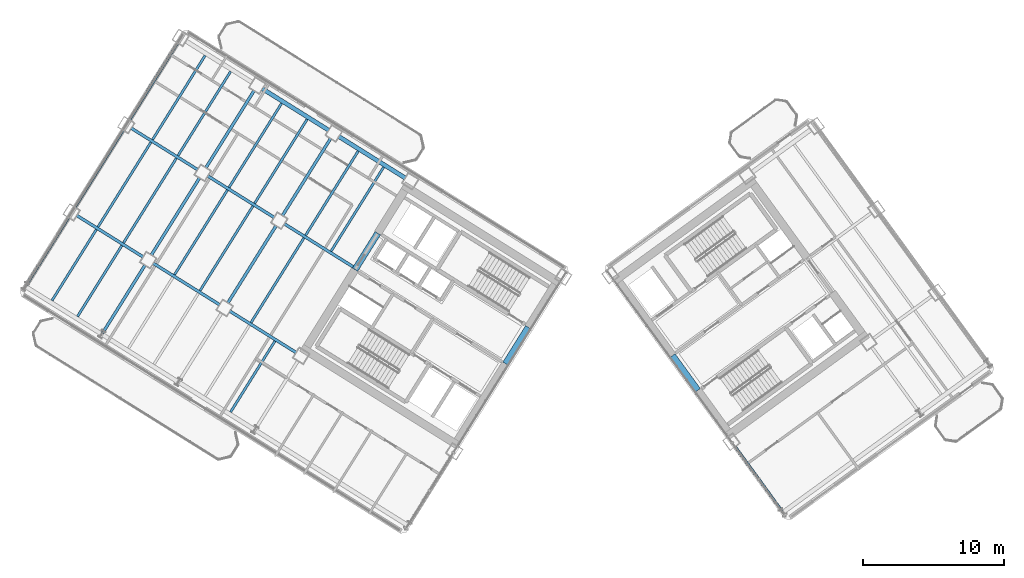
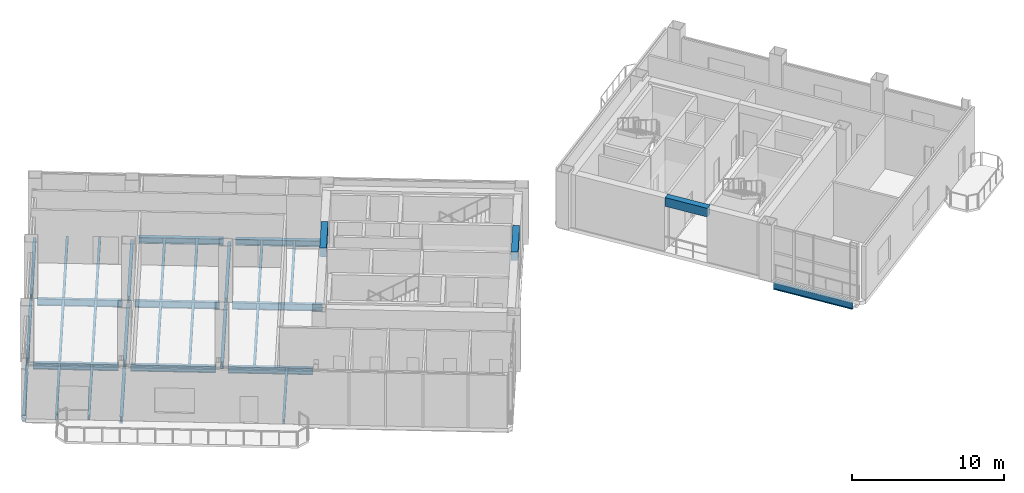
# One storey, part 7 of 18: 34 beams.
"""IFC4 building model written with IfcOpenShell, lengths in metres."""

from ifc_helpers import new_model, si_unit, direction, frame, origin, origin_2d, place, context, subcontext, project, spatial, rectangle, i_section, extrude, source, transform, mapped, material, material_profile, profile_set, type_object, element, save


model = new_model("IFC4")

# Units and contexts
model_context = context("Model", 3, precision=1e-05, world=origin(), true_north=direction((0.0, 1.0)))
body_context = subcontext(model_context, "Body", "Model", "MODEL_VIEW")
ifc_project = project(units=[si_unit("LENGTHUNIT", "METRE"), si_unit("AREAUNIT", "SQUARE_METRE"), si_unit("VOLUMEUNIT", "CUBIC_METRE"), si_unit("PLANEANGLEUNIT", "RADIAN"), si_unit("MASSUNIT", "GRAM", prefix="KILO")], contexts=[model_context])

# Site, building, storey
site_placement = place(None, origin())
site = spatial("IfcSite", under=ifc_project, at=site_placement, CompositionType="ELEMENT")
building_placement = place(site_placement, origin())
building = spatial("IfcBuilding", under=site, at=building_placement, Name="Tlacorven Tower", CompositionType="ELEMENT")
storey_placement = place(building_placement, frame((0.0, 0.0, 136.199951171875)))
storey = spatial("IfcBuildingStorey", under=building, at=storey_placement, Name="L34", CompositionType="ELEMENT", Elevation=136.199951171875)

# Beams
ifc_material_1 = material(Name="Concrete C60/75", Category="concrete")
ifc_material_profile_1 = material_profile(ifc_material_1, rectangle(XDim=0.449951171875, YDim=0.699951171875, at=origin_2d()), Name="RC 450X700")
ifc_profile_set_1 = profile_set([ifc_material_profile_1], Name="Concrete C60/75")
beam_type_1 = type_object("IfcBeamType", Name="BM-LNT-700", PredefinedType="LINTEL", material=ifc_profile_set_1)
shared_shape_1 = source(origin(), body_context, "Body", "SweptSolid", [
    extrude(rectangle(XDim=0.449951171875, YDim=0.699951171875, at=origin_2d()), origin(), (0.0, 0.0, 1.0), 3.050048828125),
])
for number, where, z_axis, x_axis, name in (
    (1, (38.2998046875, 20.890625, 3.900146484375), (-0.529984549635, -0.848007297815, 0.0), (0.848007297815, -0.529984549635, 0.0), "L34 W core coupling lintel beam E1"),
    (2, (50.318359375, 16.416015625, 3.900146484375), (-0.587776590479, 0.80902328748, 0.0), (-0.80902328748, -0.587776590479, 0.0), "L34 E core coupling lintel beam E1"),
):
    element("IfcBeam", number, at=place(storey_placement, frame(where, z_axis=z_axis, x_axis=x_axis)), inside=storey, type_object=beam_type_1, Name=name, PredefinedType="LINTEL", context=body_context, shape_type="MappedRepresentation", body=[
        mapped(shared_shape_1, transform((0.0, 0.0, 0.0), scale=1.0)),
    ])
shared_shape_2 = source(origin(), body_context, "Body", "SweptSolid", [
    extrude(rectangle(XDim=0.449951171875, YDim=0.699951171875, at=origin_2d()), origin(), (0.0, 0.0, 1.0), 3.0498046875),
])
beam_1_placement = place(storey_placement, frame((27.622802734375, 27.562255859375, 3.900146484375), z_axis=(-0.529926983584, -0.848043272522, 0.0), x_axis=(0.848043272522, -0.529926983584, 0.0)))
element("IfcBeam", 3, at=beam_1_placement, inside=storey, type_object=beam_type_1, Name="L34 W core coupling lintel beam E2", PredefinedType="LINTEL", context=body_context, shape_type="MappedRepresentation", body=[
    mapped(shared_shape_2, transform((0.0, 0.0, 0.0), scale=1.0)),
])
ifc_material_2 = material(Name="Steel S355J2", Category="steel")
ifc_material_profile_2 = material_profile(ifc_material_2, i_section(OverallWidth=0.2099609375, OverallDepth=0.550048828125, WebThickness=0.010986328125, FlangeThickness=0.01708984375, at=origin_2d()), Name="IPE 550")
ifc_profile_set_2 = profile_set([ifc_material_profile_2], Name="Steel S355J2")
beam_type_2 = type_object("IfcBeamType", Name="BM-TWR-550", PredefinedType="BEAM", material=ifc_profile_set_2)
shared_shape_3 = source(origin(), body_context, "Body", "SweptSolid", [
    extrude(i_section(OverallWidth=0.2099609375, OverallDepth=0.550048828125, WebThickness=0.010986328125, FlangeThickness=0.01708984375, at=origin_2d()), origin(), (0.0, 0.0, 1.0), 5.599853515625),
])
for number, where, z_axis, x_axis, name in (
    (4, (20.292724609375, 28.6640625, -0.554931640625), (-0.848047285686, 0.529920561254, 0.0), (-0.529920561254, -0.848047285686, 0.0), "L34 beam BM-L34-WL2-4"),
    (5, (21.851806640625, 19.081787109375, -0.554931640625), (-0.848047285686, 0.529920561254, 0.0), (-0.529920561254, -0.848047285686, 0.0), "L34 beam BM-L34-WL3-3"),
    (6, (16.42431640625, 22.473388671875, -0.554931640625), (-0.848047285686, 0.529920561254, 0.0), (-0.529920561254, -0.848047285686, 0.0), "L34 beam BM-L34-WL3-4"),
    (7, (10.996826171875, 25.86474609375, -0.554931640625), (-0.848047285686, 0.529920561254, 0.0), (-0.529920561254, -0.848047285686, 0.0), "L34 beam BM-L34-WL3-5"),
):
    element("IfcBeam", number, at=place(storey_placement, frame(where, z_axis=z_axis, x_axis=x_axis)), inside=storey, type_object=beam_type_2, Name=name, PredefinedType="BEAM", context=body_context, shape_type="MappedRepresentation", body=[
        mapped(shared_shape_3, transform((0.0, 0.0, 0.0), scale=1.0)),
    ])
shared_shape_4 = source(origin(), body_context, "Body", "SweptSolid", [
    extrude(i_section(OverallWidth=0.2099609375, OverallDepth=0.550048828125, WebThickness=0.010986328125, FlangeThickness=0.01708984375, at=origin_2d()), origin(), (0.0, 0.0, 1.0), 5.960205078125),
])
beam_2_placement = place(storey_placement, frame((26.025634765625, 25.081787109375, -0.554931640625), z_axis=(-0.848042024898, 0.529928980153, 0.0), x_axis=(-0.529928980153, -0.848042024898, 0.0)))
element("IfcBeam", 8, at=beam_2_placement, inside=storey, type_object=beam_type_2, Name="L34 beam BM-L34-WL2-3", PredefinedType="BEAM", context=body_context, shape_type="MappedRepresentation", body=[
    mapped(shared_shape_4, transform((0.0, 0.0, 0.0), scale=1.0)),
])
shared_shape_5 = source(origin(), body_context, "Body", "SweptSolid", [
    extrude(i_section(OverallWidth=0.2099609375, OverallDepth=0.550048828125, WebThickness=0.010986328125, FlangeThickness=0.01708984375, at=origin_2d()), origin(), (0.0, 0.0, 1.0), 5.60009765625),
])
beam_3_placement = place(storey_placement, frame((14.865234375, 32.055419921875, -0.554931640625), z_axis=(-0.848027693204, 0.529951914384, 0.0), x_axis=(-0.529951914384, -0.848027693204, 0.0)))
element("IfcBeam", 9, at=beam_3_placement, inside=storey, type_object=beam_type_2, Name="L34 beam BM-L34-WL2-5", PredefinedType="BEAM", context=body_context, shape_type="MappedRepresentation", body=[
    mapped(shared_shape_5, transform((0.0, 0.0, 0.0), scale=1.0)),
])
ifc_material_profile_3 = material_profile(ifc_material_2, i_section(OverallWidth=0.300048828125, OverallDepth=0.489990234375, WebThickness=0.011962890625, FlangeThickness=0.02294921875, at=origin_2d()), Name="HEA 500")
ifc_profile_set_3 = profile_set([ifc_material_profile_3], Name="Steel S355J2")
beam_type_3 = type_object("IfcBeamType", Name="BM-SPN-500", PredefinedType="SPANDREL", material=ifc_profile_set_3)
shared_shape_6 = source(origin(), body_context, "Body", "SweptSolid", [
    extrude(i_section(OverallWidth=0.300048828125, OverallDepth=0.489990234375, WebThickness=0.011962890625, FlangeThickness=0.02294921875, at=origin_2d()), origin(), (0.0, 0.0, 1.0), 5.599853515625),
])
for number, where, z_axis, x_axis, name in (
    (10, (29.588623046875, 31.46337890625, -0.52490234375), (-0.848047285686, 0.529920561254, 0.0), (-0.529920561254, -0.848047285686, 0.0), "L34 beam BM-L34-WL1-3"),
    (11, (24.1611328125, 34.854736328125, -0.52490234375), (-0.848047285686, 0.529920561254, 0.0), (-0.529920561254, -0.848047285686, 0.0), "L34 beam BM-L34-WL1-4"),
):
    element("IfcBeam", number, at=place(storey_placement, frame(where, z_axis=z_axis, x_axis=x_axis)), inside=storey, type_object=beam_type_3, Name=name, PredefinedType="SPANDREL", context=body_context, shape_type="MappedRepresentation", body=[
        mapped(shared_shape_6, transform((0.0, 0.0, 0.0), scale=1.0)),
    ])
shared_shape_7 = source(origin(), body_context, "Body", "SweptSolid", [
    extrude(i_section(OverallWidth=0.2099609375, OverallDepth=0.550048828125, WebThickness=0.010986328125, FlangeThickness=0.01708984375, at=origin_2d()), origin(), (0.0, 0.0, 1.0), 5.7001953125),
])
for number, where, z_axis, x_axis, name in (
    (12, (11.1240234375, 25.313720703125, -0.554931640625), (-0.529906537151, -0.848056048787, 0.0), (0.848056048787, -0.529906537151, 0.0), "L34 beam BM-L34-WT5-3"),
    (13, (5.696533203125, 28.705078125, -0.554931640625), (-0.529906537151, -0.848056048787, 0.0), (0.848056048787, -0.529906537151, 0.0), "L34 beam BM-L34-WT6-3"),
):
    element("IfcBeam", number, at=place(storey_placement, frame(where, z_axis=z_axis, x_axis=x_axis)), inside=storey, type_object=beam_type_2, Name=name, PredefinedType="BEAM", context=body_context, shape_type="MappedRepresentation", body=[
        mapped(shared_shape_7, transform((0.0, 0.0, 0.0), scale=1.0)),
    ])
shared_shape_8 = source(origin(), body_context, "Body", "SweptSolid", [
    extrude(i_section(OverallWidth=0.2099609375, OverallDepth=0.550048828125, WebThickness=0.010986328125, FlangeThickness=0.01708984375, at=origin_2d()), origin(), (0.0, 0.0, 1.0), 5.699951171875),
])
beam_4_placement = place(storey_placement, frame((56.291015625, 7.83837890625, -0.554931640625), z_axis=(-0.587815099892, 0.808995307983, 0.0), x_axis=(-0.808995307983, -0.587815099892, 0.0)))
element("IfcBeam", 14, at=beam_4_placement, inside=storey, type_object=beam_type_2, Name="L34 beam BM-L34-ET1-1", PredefinedType="BEAM", context=body_context, shape_type="MappedRepresentation", body=[
    mapped(shared_shape_8, transform((0.0, 0.0, 0.0), scale=1.0)),
])
shared_shape_9 = source(origin(), body_context, "Body", "SweptSolid", [
    extrude(i_section(OverallWidth=0.2099609375, OverallDepth=0.550048828125, WebThickness=0.010986328125, FlangeThickness=0.01708984375, at=origin_2d()), origin(), (0.0, 0.0, 1.0), 6.500244140625),
])
beam_5_placement = place(storey_placement, frame((24.28857421875, 34.3037109375, -0.554931640625), z_axis=(-0.529921287515, -0.848046831866, 0.0), x_axis=(0.848046831866, -0.529921287515, 0.0)))
element("IfcBeam", 15, at=beam_5_placement, inside=storey, type_object=beam_type_2, Name="L34 beam BM-L34-WT4-1", PredefinedType="BEAM", context=body_context, shape_type="MappedRepresentation", body=[
    mapped(shared_shape_9, transform((0.0, 0.0, 0.0), scale=1.0)),
])
shared_shape_10 = source(origin(), body_context, "Body", "SweptSolid", [
    extrude(i_section(OverallWidth=0.2099609375, OverallDepth=0.550048828125, WebThickness=0.010986328125, FlangeThickness=0.01708984375, at=origin_2d()), origin(), (0.0, 0.0, 1.0), 6.5),
])
for number, where, z_axis, x_axis, name in (
    (16, (20.420166015625, 28.11279296875, -0.554931640625), (-0.529938166933, -0.848036284146, 0.0), (0.848036284146, -0.529938166933, 0.0), "L34 beam BM-L34-WT4-2"),
    (17, (14.992431640625, 31.50439453125, -0.554931640625), (-0.529894274829, -0.848063710757, 0.0), (0.848063710757, -0.529894274829, 0.0), "L34 beam BM-L34-WT5-2"),
    (18, (13.433349609375, 41.086669921875, -0.554931640625), (-0.529894274829, -0.848063710757, 0.0), (0.848063710757, -0.529894274829, 0.0), "L34 beam BM-L34-WT6-1"),
):
    element("IfcBeam", number, at=place(storey_placement, frame(where, z_axis=z_axis, x_axis=x_axis)), inside=storey, type_object=beam_type_2, Name=name, PredefinedType="BEAM", context=body_context, shape_type="MappedRepresentation", body=[
        mapped(shared_shape_10, transform((0.0, 0.0, 0.0), scale=1.0)),
    ])
shared_shape_11 = source(origin(), body_context, "Body", "SweptSolid", [
    extrude(i_section(OverallWidth=0.2099609375, OverallDepth=0.550048828125, WebThickness=0.010986328125, FlangeThickness=0.01708984375, at=origin_2d()), origin(), (0.0, 0.0, 1.0), 6.499755859375),
])
for number, where, z_axis, x_axis, name in (
    (19, (18.86083984375, 37.695068359375, -0.554931640625), (-0.529911154058, -0.848053163902, 0.0), (0.848053163902, -0.529911154058, 0.0), "L34 beam BM-L34-WT5-1"),
    (20, (9.56494140625, 34.895751953125, -0.554931640625), (-0.529911154058, -0.848053163902, 0.0), (0.848053163902, -0.529911154058, 0.0), "L34 beam BM-L34-WT6-2"),
):
    element("IfcBeam", number, at=place(storey_placement, frame(where, z_axis=z_axis, x_axis=x_axis)), inside=storey, type_object=beam_type_2, Name=name, PredefinedType="BEAM", context=body_context, shape_type="MappedRepresentation", body=[
        mapped(shared_shape_11, transform((0.0, 0.0, 0.0), scale=1.0)),
    ])
ifc_material_profile_4 = material_profile(ifc_material_2, i_section(OverallWidth=0.169921875, OverallDepth=0.360107421875, WebThickness=0.008056640625, FlangeThickness=0.0126953125, at=origin_2d()), Name="IPE 360")
ifc_profile_set_4 = profile_set([ifc_material_profile_4], Name="Steel S355J2")
beam_type_4 = type_object("IfcBeamType", Name="BM-JST-360", PredefinedType="JOIST", material=ifc_profile_set_4)
shared_shape_12 = source(origin(), body_context, "Body", "SweptSolid", [
    extrude(i_section(OverallWidth=0.169921875, OverallDepth=0.360107421875, WebThickness=0.008056640625, FlangeThickness=0.0126953125, at=origin_2d()), origin(), (0.0, 0.0, 1.0), 5.93505859375),
])
for number, where, z_axis, x_axis, name in (
    (21, (20.32373046875, 19.906982421875, -0.4599609375), (-0.529910194899, -0.848053763238, 0.0), (0.848053763238, -0.529910194899, 0.0), "L34 beam BM-L34-WJ3-3-1"),
    (22, (9.46875, 26.68994140625, -0.4599609375), (-0.529939778535, -0.848035277053, 0.0), (0.848035277053, -0.529939778535, 0.0), "L34 beam BM-L34-WJ5-3-1"),
    (23, (7.659423828125, 27.820556640625, -0.4599609375), (-0.529910194899, -0.848053763238, 0.0), (0.848053763238, -0.529910194899, 0.0), "L34 beam BM-L34-WJ5-3-2"),
):
    element("IfcBeam", number, at=place(storey_placement, frame(where, z_axis=z_axis, x_axis=x_axis)), inside=storey, type_object=beam_type_4, Name=name, PredefinedType="JOIST", context=body_context, shape_type="MappedRepresentation", body=[
        mapped(shared_shape_12, transform((0.0, 0.0, 0.0), scale=1.0)),
    ])
shared_shape_13 = source(origin(), body_context, "Body", "SweptSolid", [
    extrude(i_section(OverallWidth=0.169921875, OverallDepth=0.360107421875, WebThickness=0.008056640625, FlangeThickness=0.0126953125, at=origin_2d()), origin(), (0.0, 0.0, 1.0), 7.080078125),
])
beam_6_placement = place(storey_placement, frame((18.7646484375, 29.4892578125, -0.4599609375), z_axis=(-0.529933847046, -0.848038983629, 0.0), x_axis=(0.848038983629, -0.529933847046, 0.0)))
element("IfcBeam", 24, at=beam_6_placement, inside=storey, type_object=beam_type_4, Name="L34 beam BM-L34-WJ4-2-1", PredefinedType="JOIST", context=body_context, shape_type="MappedRepresentation", body=[
    mapped(shared_shape_13, transform((0.0, 0.0, 0.0), scale=1.0)),
])
shared_shape_14 = source(origin(), body_context, "Body", "SweptSolid", [
    extrude(i_section(OverallWidth=0.169921875, OverallDepth=0.360107421875, WebThickness=0.008056640625, FlangeThickness=0.0126953125, at=origin_2d()), origin(), (0.0, 0.0, 1.0), 7.03515625),
])
for number, where, z_axis, x_axis, name in (
    (25, (28.03662109375, 32.25048828125, -0.4599609375), (-0.529920952588, -0.848047041153, 0.0), (0.848047041153, -0.529920952588, 0.0), "L34 beam BM-L34-WJ3-1-1"),
    (26, (26.2275390625, 33.380859375, -0.4599609375), (-0.529920952588, -0.848047041153, 0.0), (0.848047041153, -0.529920952588, 0.0), "L34 beam BM-L34-WJ3-1-2"),
    (27, (22.609130859375, 35.641845703125, -0.4599609375), (-0.529920952588, -0.848047041153, 0.0), (0.848047041153, -0.529920952588, 0.0), "L34 beam BM-L34-WJ4-1-1"),
    (28, (20.800048828125, 36.7724609375, -0.4599609375), (-0.529920952588, -0.848047041153, 0.0), (0.848047041153, -0.529920952588, 0.0), "L34 beam BM-L34-WJ4-1-2"),
    (29, (17.181640625, 39.033447265625, -0.4599609375), (-0.529920952588, -0.848047041153, 0.0), (0.848047041153, -0.529920952588, 0.0), "L34 beam BM-L34-WJ5-1-1"),
):
    element("IfcBeam", number, at=place(storey_placement, frame(where, z_axis=z_axis, x_axis=x_axis)), inside=storey, type_object=beam_type_4, Name=name, PredefinedType="JOIST", context=body_context, shape_type="MappedRepresentation", body=[
        mapped(shared_shape_14, transform((0.0, 0.0, 0.0), scale=1.0)),
    ])
shared_shape_15 = source(origin(), body_context, "Body", "SweptSolid", [
    extrude(i_section(OverallWidth=0.169921875, OverallDepth=0.360107421875, WebThickness=0.008056640625, FlangeThickness=0.0126953125, at=origin_2d()), origin(), (0.0, 0.0, 1.0), 7.079833984375),
])
for number, where, z_axis, x_axis, name in (
    (30, (22.3828125, 27.228271484375, -0.4599609375), (-0.529909047265, -0.848054480341, 0.0), (0.848054480341, -0.529909047265, 0.0), "L34 beam BM-L34-WJ3-2-2"),
    (31, (16.955322265625, 30.619873046875, -0.4599609375), (-0.529909047265, -0.848054480341, 0.0), (0.848054480341, -0.529909047265, 0.0), "L34 beam BM-L34-WJ4-2-2"),
    (32, (11.52783203125, 34.01123046875, -0.4599609375), (-0.529909047265, -0.848054480341, 0.0), (0.848054480341, -0.529909047265, 0.0), "L34 beam BM-L34-WJ5-2-2"),
):
    element("IfcBeam", number, at=place(storey_placement, frame(where, z_axis=z_axis, x_axis=x_axis)), inside=storey, type_object=beam_type_4, Name=name, PredefinedType="JOIST", context=body_context, shape_type="MappedRepresentation", body=[
        mapped(shared_shape_15, transform((0.0, 0.0, 0.0), scale=1.0)),
    ])
shared_shape_16 = source(origin(), body_context, "Body", "SweptSolid", [
    extrude(i_section(OverallWidth=0.169921875, OverallDepth=0.360107421875, WebThickness=0.008056640625, FlangeThickness=0.0126953125, at=origin_2d()), origin(), (0.0, 0.0, 1.0), 7.034912109375),
])
beam_7_placement = place(storey_placement, frame((15.372314453125, 40.163818359375, -0.4599609375), z_axis=(-0.529895993776, -0.848062636708, 0.0), x_axis=(0.848062636708, -0.529895993776, 0.0)))
element("IfcBeam", 33, at=beam_7_placement, inside=storey, type_object=beam_type_4, Name="L34 beam BM-L34-WJ5-1-2", PredefinedType="JOIST", context=body_context, shape_type="MappedRepresentation", body=[
    mapped(shared_shape_16, transform((0.0, 0.0, 0.0), scale=1.0)),
])
shared_shape_17 = source(origin(), body_context, "Body", "SweptSolid", [
    extrude(i_section(OverallWidth=0.169921875, OverallDepth=0.360107421875, WebThickness=0.008056640625, FlangeThickness=0.0126953125, at=origin_2d()), origin(), (0.0, 0.0, 1.0), 7.080322265625),
])
beam_8_placement = place(storey_placement, frame((13.337158203125, 32.880859375, -0.4599609375), z_axis=(-0.52991835062, -0.848048667045, 0.0), x_axis=(0.848048667045, -0.52991835062, 0.0)))
element("IfcBeam", 34, at=beam_8_placement, inside=storey, type_object=beam_type_4, Name="L34 beam BM-L34-WJ5-2-1", PredefinedType="JOIST", context=body_context, shape_type="MappedRepresentation", body=[
    mapped(shared_shape_17, transform((0.0, 0.0, 0.0), scale=1.0)),
])

save(model, "model.ifc")
